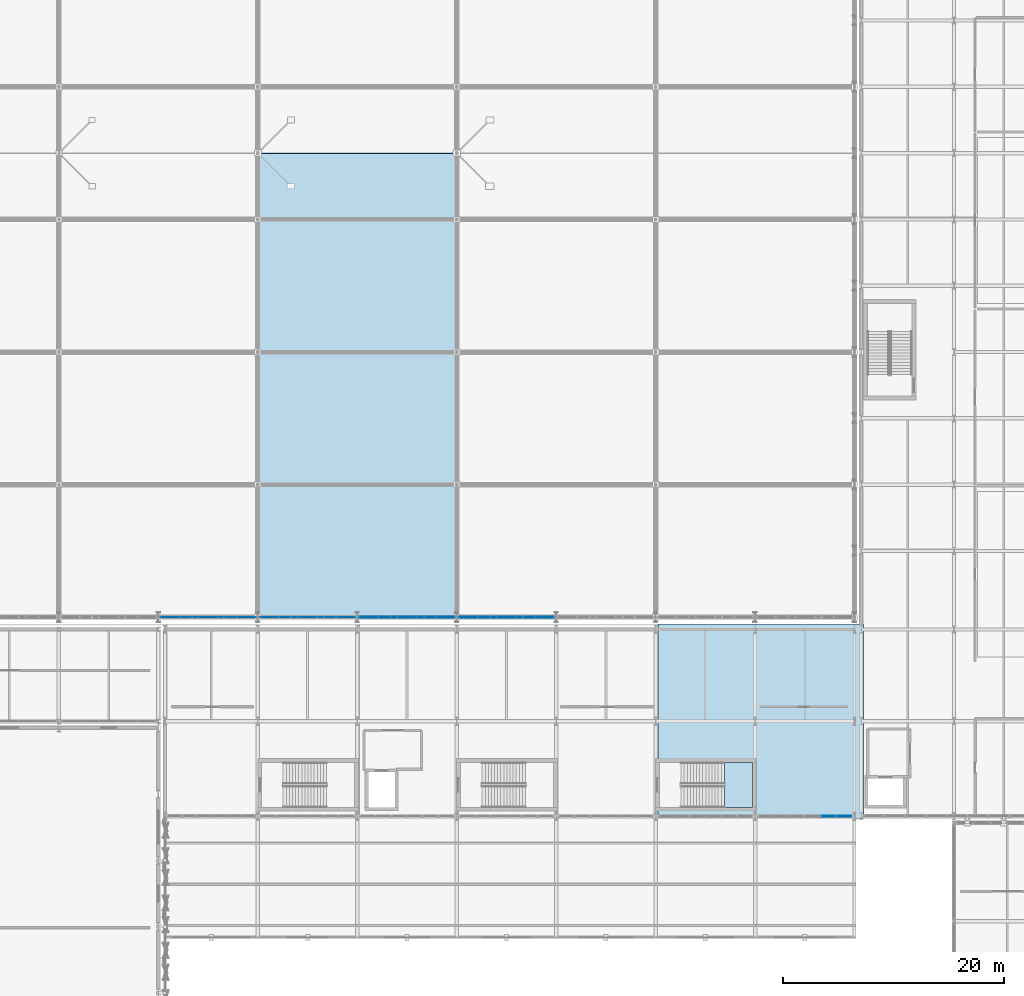
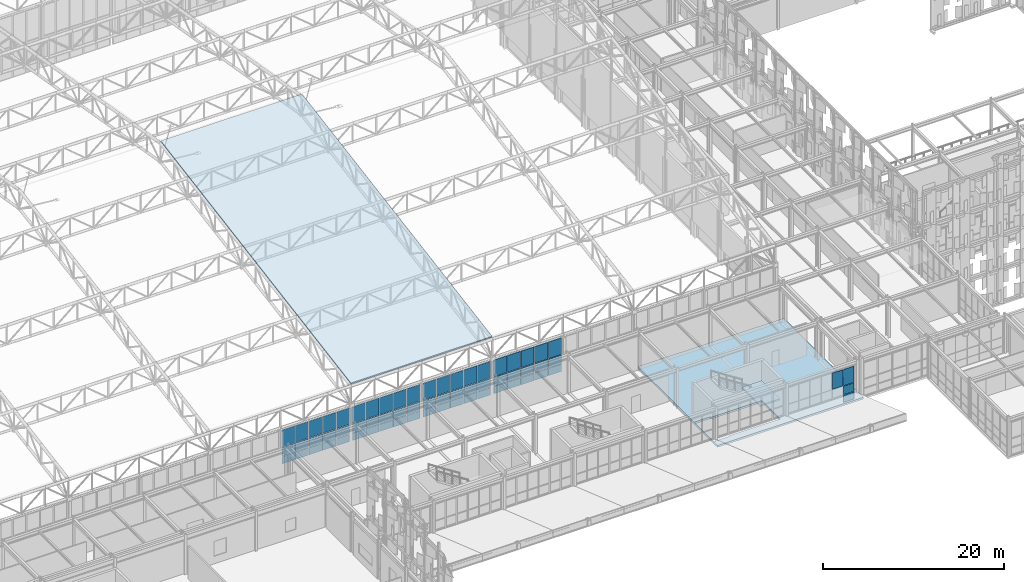
# One storey, part 184 of 239: 64 plates, 3 slabs, 7 elements without a shape of their own.
"""IFC4 building model written with IfcOpenShell, lengths in metres."""

from ifc_helpers import new_model, si_unit, direction, frame, origin, origin_2d, place, context, subcontext, project, spatial, polyline, rectangle, outline, extrude, material, layer, layer_set, type_object, element, aggregate, save


model = new_model("IFC4")

# Units and contexts
model_context = context("Model", 3, precision=1e-05, world=origin(), true_north=direction((0.0, 1.0)))
body_context = subcontext(model_context, "Body", "Model", "MODEL_VIEW")
ifc_project = project(units=[si_unit("LENGTHUNIT", "METRE"), si_unit("AREAUNIT", "SQUARE_METRE"), si_unit("VOLUMEUNIT", "CUBIC_METRE"), si_unit("PLANEANGLEUNIT", "RADIAN"), si_unit("MASSUNIT", "GRAM", prefix="KILO")], contexts=[model_context])

# Site, building, storey
site_placement = place(None, origin())
site = spatial("IfcSite", under=ifc_project, at=site_placement, CompositionType="ELEMENT")
building_placement = place(site_placement, origin())
building = spatial("IfcBuilding", under=site, at=building_placement, Name="Kaldris Quays Convention Centre", CompositionType="ELEMENT")
storey_placement = place(building_placement, frame((0.0, 0.0, 11.39990234375)))
storey = spatial("IfcBuildingStorey", under=building, at=storey_placement, Name="L02", CompositionType="ELEMENT", Elevation=11.39990234375)

# Curtain wall, plates
ifc_material_1 = material(Name="Anodized aluminium AW-6060 and triple glazing", Category="aluminium")
curtain_wall_type_1 = type_object("IfcCurtainWallType", Name="UNITISED CURTAIN WALL CW03", PredefinedType="NOTDEFINED", material=ifc_material_1)
curtain_wall_1_placement = place(storey_placement, origin())
curtain_wall_1 = element("IfcCurtainWall", 1, at=curtain_wall_1_placement, inside=storey, type_object=curtain_wall_type_1, Name="L02 Unitised Curtain Wall CW03 241", PredefinedType="NOTDEFINED")
ifc_material_2 = material(Name="Triple low-E insulated glazing", Category="glass")
plate_type_1 = type_object("IfcPlateType", Name="CURTAIN GLAZING PANEL CWP1", PredefinedType="CURTAIN_PANEL", material=ifc_material_2)
plate_1_placement = place(storey_placement, frame((84.027099609375, 56.0, 2.255126953125), z_axis=(0.0, 0.0, 1.0), x_axis=(1.0, 0.0, 0.0)))
plate_1 = element("IfcPlate", 2, at=plate_1_placement, type_object=plate_type_1, Name="CW03 panel 1.1", PredefinedType="CURTAIN_PANEL", context=body_context, shape_type="SweptSolid", body=[
    extrude(rectangle(XDim=1.654052734375, YDim=0.029052734375, at=origin_2d()), origin(), (0.0, 0.0, 1.0), 0.9599609375),
])
plate_2_placement = place(storey_placement, frame((84.027099609375, 56.0, 3.27490234375), z_axis=(0.0, 0.0, 1.0), x_axis=(1.0, 0.0, 0.0)))
plate_2 = element("IfcPlate", 3, at=plate_2_placement, type_object=plate_type_1, Name="CW03 panel 1.2", PredefinedType="CURTAIN_PANEL", context=body_context, shape_type="SweptSolid", body=[
    extrude(rectangle(XDim=1.654052734375, YDim=0.029052734375, at=origin_2d()), origin(), (0.0, 0.0, 1.0), 1.217041015625),
])
plate_3_placement = place(storey_placement, frame((84.027099609375, 56.0, 4.55224609375), z_axis=(0.0, 0.0, 1.0), x_axis=(1.0, 0.0, 0.0)))
plate_3 = element("IfcPlate", 4, at=plate_3_placement, type_object=plate_type_1, Name="CW03 panel 1.3", PredefinedType="CURTAIN_PANEL", context=body_context, shape_type="SweptSolid", body=[
    extrude(rectangle(XDim=1.654052734375, YDim=0.029052734375, at=origin_2d()), origin(), (0.0, 0.0, 1.0), 2.238037109375),
])
plate_4_placement = place(storey_placement, frame((85.756103515625, 56.0, 2.255126953125), z_axis=(0.0, 0.0, 1.0), x_axis=(1.0, 0.0, 0.0)))
plate_4 = element("IfcPlate", 5, at=plate_4_placement, type_object=plate_type_1, Name="CW03 panel 2.1", PredefinedType="CURTAIN_PANEL", context=body_context, shape_type="SweptSolid", body=[
    extrude(rectangle(XDim=1.68408203125, YDim=0.029052734375, at=origin_2d()), origin(), (0.0, 0.0, 1.0), 0.9599609375),
])
plate_5_placement = place(storey_placement, frame((85.756103515625, 56.0, 3.27490234375), z_axis=(0.0, 0.0, 1.0), x_axis=(1.0, 0.0, 0.0)))
plate_5 = element("IfcPlate", 6, at=plate_5_placement, type_object=plate_type_1, Name="CW03 panel 2.2", PredefinedType="CURTAIN_PANEL", context=body_context, shape_type="SweptSolid", body=[
    extrude(rectangle(XDim=1.68408203125, YDim=0.029052734375, at=origin_2d()), origin(), (0.0, 0.0, 1.0), 1.217041015625),
])
plate_6_placement = place(storey_placement, frame((85.756103515625, 56.0, 4.55224609375), z_axis=(0.0, 0.0, 1.0), x_axis=(1.0, 0.0, 0.0)))
plate_6 = element("IfcPlate", 7, at=plate_6_placement, type_object=plate_type_1, Name="CW03 panel 2.3", PredefinedType="CURTAIN_PANEL", context=body_context, shape_type="SweptSolid", body=[
    extrude(rectangle(XDim=1.68408203125, YDim=0.029052734375, at=origin_2d()), origin(), (0.0, 0.0, 1.0), 2.238037109375),
])
plate_7_placement = place(storey_placement, frame((87.5, 56.0, 2.255126953125), z_axis=(0.0, 0.0, 1.0), x_axis=(1.0, 0.0, 0.0)))
plate_7 = element("IfcPlate", 8, at=plate_7_placement, type_object=plate_type_1, Name="CW03 panel 3.1", PredefinedType="CURTAIN_PANEL", context=body_context, shape_type="SweptSolid", body=[
    extrude(rectangle(XDim=1.68408203125, YDim=0.029052734375, at=origin_2d()), origin(), (0.0, 0.0, 1.0), 0.9599609375),
])
plate_8_placement = place(storey_placement, frame((87.5, 56.0, 3.27490234375), z_axis=(0.0, 0.0, 1.0), x_axis=(1.0, 0.0, 0.0)))
plate_8 = element("IfcPlate", 9, at=plate_8_placement, type_object=plate_type_1, Name="CW03 panel 3.2", PredefinedType="CURTAIN_PANEL", context=body_context, shape_type="SweptSolid", body=[
    extrude(rectangle(XDim=1.68408203125, YDim=0.029052734375, at=origin_2d()), origin(), (0.0, 0.0, 1.0), 1.217041015625),
])
plate_9_placement = place(storey_placement, frame((87.5, 56.0, 4.55224609375), z_axis=(0.0, 0.0, 1.0), x_axis=(1.0, 0.0, 0.0)))
plate_9 = element("IfcPlate", 10, at=plate_9_placement, type_object=plate_type_1, Name="CW03 panel 3.3", PredefinedType="CURTAIN_PANEL", context=body_context, shape_type="SweptSolid", body=[
    extrude(rectangle(XDim=1.68408203125, YDim=0.029052734375, at=origin_2d()), origin(), (0.0, 0.0, 1.0), 2.238037109375),
])
plate_10_placement = place(storey_placement, frame((89.243896484375, 56.0, 2.255126953125), z_axis=(0.0, 0.0, 1.0), x_axis=(1.0, 0.0, 0.0)))
plate_10 = element("IfcPlate", 11, at=plate_10_placement, type_object=plate_type_1, Name="CW03 panel 4.1", PredefinedType="CURTAIN_PANEL", context=body_context, shape_type="SweptSolid", body=[
    extrude(rectangle(XDim=1.68408203125, YDim=0.029052734375, at=origin_2d()), origin(), (0.0, 0.0, 1.0), 0.9599609375),
])
plate_11_placement = place(storey_placement, frame((89.243896484375, 56.0, 3.27490234375), z_axis=(0.0, 0.0, 1.0), x_axis=(1.0, 0.0, 0.0)))
plate_11 = element("IfcPlate", 12, at=plate_11_placement, type_object=plate_type_1, Name="CW03 panel 4.2", PredefinedType="CURTAIN_PANEL", context=body_context, shape_type="SweptSolid", body=[
    extrude(rectangle(XDim=1.68408203125, YDim=0.029052734375, at=origin_2d()), origin(), (0.0, 0.0, 1.0), 1.217041015625),
])
plate_12_placement = place(storey_placement, frame((89.243896484375, 56.0, 4.55224609375), z_axis=(0.0, 0.0, 1.0), x_axis=(1.0, 0.0, 0.0)))
plate_12 = element("IfcPlate", 13, at=plate_12_placement, type_object=plate_type_1, Name="CW03 panel 4.3", PredefinedType="CURTAIN_PANEL", context=body_context, shape_type="SweptSolid", body=[
    extrude(rectangle(XDim=1.68408203125, YDim=0.029052734375, at=origin_2d()), origin(), (0.0, 0.0, 1.0), 2.238037109375),
])
plate_13_placement = place(storey_placement, frame((90.972900390625, 56.0, 2.255126953125), z_axis=(0.0, 0.0, 1.0), x_axis=(1.0, 0.0, 0.0)))
plate_13 = element("IfcPlate", 14, at=plate_13_placement, type_object=plate_type_1, Name="CW03 panel 5.1", PredefinedType="CURTAIN_PANEL", context=body_context, shape_type="SweptSolid", body=[
    extrude(rectangle(XDim=1.654052734375, YDim=0.029052734375, at=origin_2d()), origin(), (0.0, 0.0, 1.0), 0.9599609375),
])
plate_14_placement = place(storey_placement, frame((90.972900390625, 56.0, 3.27490234375), z_axis=(0.0, 0.0, 1.0), x_axis=(1.0, 0.0, 0.0)))
plate_14 = element("IfcPlate", 15, at=plate_14_placement, type_object=plate_type_1, Name="CW03 panel 5.2", PredefinedType="CURTAIN_PANEL", context=body_context, shape_type="SweptSolid", body=[
    extrude(rectangle(XDim=1.654052734375, YDim=0.029052734375, at=origin_2d()), origin(), (0.0, 0.0, 1.0), 1.217041015625),
])
plate_15_placement = place(storey_placement, frame((90.972900390625, 56.0, 4.55224609375), z_axis=(0.0, 0.0, 1.0), x_axis=(1.0, 0.0, 0.0)))
plate_15 = element("IfcPlate", 16, at=plate_15_placement, type_object=plate_type_1, Name="CW03 panel 5.3", PredefinedType="CURTAIN_PANEL", context=body_context, shape_type="SweptSolid", body=[
    extrude(rectangle(XDim=1.654052734375, YDim=0.029052734375, at=origin_2d()), origin(), (0.0, 0.0, 1.0), 2.238037109375),
])
aggregate(curtain_wall_1, [plate_1, plate_2, plate_3, plate_4, plate_5, plate_6, plate_7, plate_8, plate_9, plate_10, plate_11, plate_12, plate_13, plate_14, plate_15])

curtain_wall_2_placement = place(storey_placement, origin())
curtain_wall_2 = element("IfcCurtainWall", 17, at=curtain_wall_2_placement, inside=storey, type_object=curtain_wall_type_1, Name="L02 Unitised Curtain Wall CW03 243", PredefinedType="NOTDEFINED")
plate_type_2 = type_object("IfcPlateType", Name="CURTAIN GLAZING PANEL CWP3", PredefinedType="CURTAIN_PANEL", material=ifc_material_2)
plate_16_placement = place(storey_placement, frame((93.027099609375, 56.0, 2.255126953125), z_axis=(0.0, 0.0, 1.0), x_axis=(1.0, 0.0, 0.0)))
plate_16 = element("IfcPlate", 18, at=plate_16_placement, type_object=plate_type_2, Name="CW03 panel 1.1", PredefinedType="CURTAIN_PANEL", context=body_context, shape_type="SweptSolid", body=[
    extrude(rectangle(XDim=1.654052734375, YDim=0.0390625, at=origin_2d()), origin(), (0.0, 0.0, 1.0), 0.9599609375),
])
plate_17_placement = place(storey_placement, frame((93.027099609375, 56.0, 3.27490234375), z_axis=(0.0, 0.0, 1.0), x_axis=(1.0, 0.0, 0.0)))
plate_17 = element("IfcPlate", 19, at=plate_17_placement, type_object=plate_type_2, Name="CW03 panel 1.2", PredefinedType="CURTAIN_PANEL", context=body_context, shape_type="SweptSolid", body=[
    extrude(rectangle(XDim=1.654052734375, YDim=0.0390625, at=origin_2d()), origin(), (0.0, 0.0, 1.0), 1.217041015625),
])
plate_18_placement = place(storey_placement, frame((93.027099609375, 56.0, 4.55224609375), z_axis=(0.0, 0.0, 1.0), x_axis=(1.0, 0.0, 0.0)))
plate_18 = element("IfcPlate", 20, at=plate_18_placement, type_object=plate_type_2, Name="CW03 panel 1.3", PredefinedType="CURTAIN_PANEL", context=body_context, shape_type="SweptSolid", body=[
    extrude(rectangle(XDim=1.654052734375, YDim=0.0390625, at=origin_2d()), origin(), (0.0, 0.0, 1.0), 2.238037109375),
])
plate_19_placement = place(storey_placement, frame((94.756103515625, 56.0, 2.255126953125), z_axis=(0.0, 0.0, 1.0), x_axis=(1.0, 0.0, 0.0)))
plate_19 = element("IfcPlate", 21, at=plate_19_placement, type_object=plate_type_2, Name="CW03 panel 2.1", PredefinedType="CURTAIN_PANEL", context=body_context, shape_type="SweptSolid", body=[
    extrude(rectangle(XDim=1.68408203125, YDim=0.0390625, at=origin_2d()), origin(), (0.0, 0.0, 1.0), 0.9599609375),
])
plate_20_placement = place(storey_placement, frame((94.756103515625, 56.0, 3.27490234375), z_axis=(0.0, 0.0, 1.0), x_axis=(1.0, 0.0, 0.0)))
plate_20 = element("IfcPlate", 22, at=plate_20_placement, type_object=plate_type_2, Name="CW03 panel 2.2", PredefinedType="CURTAIN_PANEL", context=body_context, shape_type="SweptSolid", body=[
    extrude(rectangle(XDim=1.68408203125, YDim=0.0390625, at=origin_2d()), origin(), (0.0, 0.0, 1.0), 1.217041015625),
])
plate_21_placement = place(storey_placement, frame((94.756103515625, 56.0, 4.55224609375), z_axis=(0.0, 0.0, 1.0), x_axis=(1.0, 0.0, 0.0)))
plate_21 = element("IfcPlate", 23, at=plate_21_placement, type_object=plate_type_2, Name="CW03 panel 2.3", PredefinedType="CURTAIN_PANEL", context=body_context, shape_type="SweptSolid", body=[
    extrude(rectangle(XDim=1.68408203125, YDim=0.0390625, at=origin_2d()), origin(), (0.0, 0.0, 1.0), 2.238037109375),
])
plate_22_placement = place(storey_placement, frame((96.5, 56.0, 2.255126953125), z_axis=(0.0, 0.0, 1.0), x_axis=(1.0, 0.0, 0.0)))
plate_22 = element("IfcPlate", 24, at=plate_22_placement, type_object=plate_type_2, Name="CW03 panel 3.1", PredefinedType="CURTAIN_PANEL", context=body_context, shape_type="SweptSolid", body=[
    extrude(rectangle(XDim=1.68408203125, YDim=0.0390625, at=origin_2d()), origin(), (0.0, 0.0, 1.0), 0.9599609375),
])
plate_23_placement = place(storey_placement, frame((96.5, 56.0, 3.27490234375), z_axis=(0.0, 0.0, 1.0), x_axis=(1.0, 0.0, 0.0)))
plate_23 = element("IfcPlate", 25, at=plate_23_placement, type_object=plate_type_2, Name="CW03 panel 3.2", PredefinedType="CURTAIN_PANEL", context=body_context, shape_type="SweptSolid", body=[
    extrude(rectangle(XDim=1.68408203125, YDim=0.0390625, at=origin_2d()), origin(), (0.0, 0.0, 1.0), 1.217041015625),
])
plate_24_placement = place(storey_placement, frame((96.5, 56.0, 4.55224609375), z_axis=(0.0, 0.0, 1.0), x_axis=(1.0, 0.0, 0.0)))
plate_24 = element("IfcPlate", 26, at=plate_24_placement, type_object=plate_type_2, Name="CW03 panel 3.3", PredefinedType="CURTAIN_PANEL", context=body_context, shape_type="SweptSolid", body=[
    extrude(rectangle(XDim=1.68408203125, YDim=0.0390625, at=origin_2d()), origin(), (0.0, 0.0, 1.0), 2.238037109375),
])
plate_25_placement = place(storey_placement, frame((98.243896484375, 56.0, 2.255126953125), z_axis=(0.0, 0.0, 1.0), x_axis=(1.0, 0.0, 0.0)))
plate_25 = element("IfcPlate", 27, at=plate_25_placement, type_object=plate_type_2, Name="CW03 panel 4.1", PredefinedType="CURTAIN_PANEL", context=body_context, shape_type="SweptSolid", body=[
    extrude(rectangle(XDim=1.68408203125, YDim=0.0390625, at=origin_2d()), origin(), (0.0, 0.0, 1.0), 0.9599609375),
])
plate_26_placement = place(storey_placement, frame((98.243896484375, 56.0, 3.27490234375), z_axis=(0.0, 0.0, 1.0), x_axis=(1.0, 0.0, 0.0)))
plate_26 = element("IfcPlate", 28, at=plate_26_placement, type_object=plate_type_2, Name="CW03 panel 4.2", PredefinedType="CURTAIN_PANEL", context=body_context, shape_type="SweptSolid", body=[
    extrude(rectangle(XDim=1.68408203125, YDim=0.0390625, at=origin_2d()), origin(), (0.0, 0.0, 1.0), 1.217041015625),
])
plate_27_placement = place(storey_placement, frame((98.243896484375, 56.0, 4.55224609375), z_axis=(0.0, 0.0, 1.0), x_axis=(1.0, 0.0, 0.0)))
plate_27 = element("IfcPlate", 29, at=plate_27_placement, type_object=plate_type_2, Name="CW03 panel 4.3", PredefinedType="CURTAIN_PANEL", context=body_context, shape_type="SweptSolid", body=[
    extrude(rectangle(XDim=1.68408203125, YDim=0.0390625, at=origin_2d()), origin(), (0.0, 0.0, 1.0), 2.238037109375),
])
plate_28_placement = place(storey_placement, frame((99.972900390625, 56.0, 2.255126953125), z_axis=(0.0, 0.0, 1.0), x_axis=(1.0, 0.0, 0.0)))
plate_28 = element("IfcPlate", 30, at=plate_28_placement, type_object=plate_type_2, Name="CW03 panel 5.1", PredefinedType="CURTAIN_PANEL", context=body_context, shape_type="SweptSolid", body=[
    extrude(rectangle(XDim=1.654052734375, YDim=0.0390625, at=origin_2d()), origin(), (0.0, 0.0, 1.0), 0.9599609375),
])
plate_29_placement = place(storey_placement, frame((99.972900390625, 56.0, 3.27490234375), z_axis=(0.0, 0.0, 1.0), x_axis=(1.0, 0.0, 0.0)))
plate_29 = element("IfcPlate", 31, at=plate_29_placement, type_object=plate_type_2, Name="CW03 panel 5.2", PredefinedType="CURTAIN_PANEL", context=body_context, shape_type="SweptSolid", body=[
    extrude(rectangle(XDim=1.654052734375, YDim=0.0390625, at=origin_2d()), origin(), (0.0, 0.0, 1.0), 1.217041015625),
])
plate_30_placement = place(storey_placement, frame((99.972900390625, 56.0, 4.55224609375), z_axis=(0.0, 0.0, 1.0), x_axis=(1.0, 0.0, 0.0)))
plate_30 = element("IfcPlate", 32, at=plate_30_placement, type_object=plate_type_2, Name="CW03 panel 5.3", PredefinedType="CURTAIN_PANEL", context=body_context, shape_type="SweptSolid", body=[
    extrude(rectangle(XDim=1.654052734375, YDim=0.0390625, at=origin_2d()), origin(), (0.0, 0.0, 1.0), 2.238037109375),
])
aggregate(curtain_wall_2, [plate_16, plate_17, plate_18, plate_19, plate_20, plate_21, plate_22, plate_23, plate_24, plate_25, plate_26, plate_27, plate_28, plate_29, plate_30])

curtain_wall_3_placement = place(storey_placement, origin())
curtain_wall_3 = element("IfcCurtainWall", 33, at=curtain_wall_3_placement, inside=storey, type_object=curtain_wall_type_1, Name="L02 Unitised Curtain Wall CW03 245", PredefinedType="NOTDEFINED")
plate_type_3 = type_object("IfcPlateType", Name="CURTAIN GLAZING PANEL CWP5", PredefinedType="CURTAIN_PANEL", material=ifc_material_2)
plate_31_placement = place(storey_placement, frame((102.027099609375, 56.0, 2.255126953125), z_axis=(0.0, 0.0, 1.0), x_axis=(1.0, 0.0, 0.0)))
plate_31 = element("IfcPlate", 34, at=plate_31_placement, type_object=plate_type_3, Name="CW03 panel 1.1", PredefinedType="CURTAIN_PANEL", context=body_context, shape_type="SweptSolid", body=[
    extrude(rectangle(XDim=1.654052734375, YDim=0.049072265625, at=origin_2d()), origin(), (0.0, 0.0, 1.0), 0.9599609375),
])
plate_32_placement = place(storey_placement, frame((102.027099609375, 56.0, 3.27490234375), z_axis=(0.0, 0.0, 1.0), x_axis=(1.0, 0.0, 0.0)))
plate_32 = element("IfcPlate", 35, at=plate_32_placement, type_object=plate_type_3, Name="CW03 panel 1.2", PredefinedType="CURTAIN_PANEL", context=body_context, shape_type="SweptSolid", body=[
    extrude(rectangle(XDim=1.654052734375, YDim=0.049072265625, at=origin_2d()), origin(), (0.0, 0.0, 1.0), 1.217041015625),
])
plate_33_placement = place(storey_placement, frame((102.027099609375, 56.0, 4.55224609375), z_axis=(0.0, 0.0, 1.0), x_axis=(1.0, 0.0, 0.0)))
plate_33 = element("IfcPlate", 36, at=plate_33_placement, type_object=plate_type_3, Name="CW03 panel 1.3", PredefinedType="CURTAIN_PANEL", context=body_context, shape_type="SweptSolid", body=[
    extrude(rectangle(XDim=1.654052734375, YDim=0.049072265625, at=origin_2d()), origin(), (0.0, 0.0, 1.0), 2.238037109375),
])
plate_34_placement = place(storey_placement, frame((103.756103515625, 56.0, 2.255126953125), z_axis=(0.0, 0.0, 1.0), x_axis=(1.0, 0.0, 0.0)))
plate_34 = element("IfcPlate", 37, at=plate_34_placement, type_object=plate_type_3, Name="CW03 panel 2.1", PredefinedType="CURTAIN_PANEL", context=body_context, shape_type="SweptSolid", body=[
    extrude(rectangle(XDim=1.68408203125, YDim=0.049072265625, at=origin_2d()), origin(), (0.0, 0.0, 1.0), 0.9599609375),
])
plate_35_placement = place(storey_placement, frame((103.756103515625, 56.0, 3.27490234375), z_axis=(0.0, 0.0, 1.0), x_axis=(1.0, 0.0, 0.0)))
plate_35 = element("IfcPlate", 38, at=plate_35_placement, type_object=plate_type_3, Name="CW03 panel 2.2", PredefinedType="CURTAIN_PANEL", context=body_context, shape_type="SweptSolid", body=[
    extrude(rectangle(XDim=1.68408203125, YDim=0.049072265625, at=origin_2d()), origin(), (0.0, 0.0, 1.0), 1.217041015625),
])
plate_36_placement = place(storey_placement, frame((103.756103515625, 56.0, 4.55224609375), z_axis=(0.0, 0.0, 1.0), x_axis=(1.0, 0.0, 0.0)))
plate_36 = element("IfcPlate", 39, at=plate_36_placement, type_object=plate_type_3, Name="CW03 panel 2.3", PredefinedType="CURTAIN_PANEL", context=body_context, shape_type="SweptSolid", body=[
    extrude(rectangle(XDim=1.68408203125, YDim=0.049072265625, at=origin_2d()), origin(), (0.0, 0.0, 1.0), 2.238037109375),
])
plate_37_placement = place(storey_placement, frame((105.5, 56.0, 2.255126953125), z_axis=(0.0, 0.0, 1.0), x_axis=(1.0, 0.0, 0.0)))
plate_37 = element("IfcPlate", 40, at=plate_37_placement, type_object=plate_type_3, Name="CW03 panel 3.1", PredefinedType="CURTAIN_PANEL", context=body_context, shape_type="SweptSolid", body=[
    extrude(rectangle(XDim=1.68408203125, YDim=0.049072265625, at=origin_2d()), origin(), (0.0, 0.0, 1.0), 0.9599609375),
])
plate_38_placement = place(storey_placement, frame((105.5, 56.0, 3.27490234375), z_axis=(0.0, 0.0, 1.0), x_axis=(1.0, 0.0, 0.0)))
plate_38 = element("IfcPlate", 41, at=plate_38_placement, type_object=plate_type_3, Name="CW03 panel 3.2", PredefinedType="CURTAIN_PANEL", context=body_context, shape_type="SweptSolid", body=[
    extrude(rectangle(XDim=1.68408203125, YDim=0.049072265625, at=origin_2d()), origin(), (0.0, 0.0, 1.0), 1.217041015625),
])
plate_39_placement = place(storey_placement, frame((105.5, 56.0, 4.55224609375), z_axis=(0.0, 0.0, 1.0), x_axis=(1.0, 0.0, 0.0)))
plate_39 = element("IfcPlate", 42, at=plate_39_placement, type_object=plate_type_3, Name="CW03 panel 3.3", PredefinedType="CURTAIN_PANEL", context=body_context, shape_type="SweptSolid", body=[
    extrude(rectangle(XDim=1.68408203125, YDim=0.049072265625, at=origin_2d()), origin(), (0.0, 0.0, 1.0), 2.238037109375),
])
plate_40_placement = place(storey_placement, frame((107.243896484375, 56.0, 2.255126953125), z_axis=(0.0, 0.0, 1.0), x_axis=(1.0, 0.0, 0.0)))
plate_40 = element("IfcPlate", 43, at=plate_40_placement, type_object=plate_type_3, Name="CW03 panel 4.1", PredefinedType="CURTAIN_PANEL", context=body_context, shape_type="SweptSolid", body=[
    extrude(rectangle(XDim=1.68408203125, YDim=0.049072265625, at=origin_2d()), origin(), (0.0, 0.0, 1.0), 0.9599609375),
])
plate_41_placement = place(storey_placement, frame((107.243896484375, 56.0, 3.27490234375), z_axis=(0.0, 0.0, 1.0), x_axis=(1.0, 0.0, 0.0)))
plate_41 = element("IfcPlate", 44, at=plate_41_placement, type_object=plate_type_3, Name="CW03 panel 4.2", PredefinedType="CURTAIN_PANEL", context=body_context, shape_type="SweptSolid", body=[
    extrude(rectangle(XDim=1.68408203125, YDim=0.049072265625, at=origin_2d()), origin(), (0.0, 0.0, 1.0), 1.217041015625),
])
plate_42_placement = place(storey_placement, frame((107.243896484375, 56.0, 4.55224609375), z_axis=(0.0, 0.0, 1.0), x_axis=(1.0, 0.0, 0.0)))
plate_42 = element("IfcPlate", 45, at=plate_42_placement, type_object=plate_type_3, Name="CW03 panel 4.3", PredefinedType="CURTAIN_PANEL", context=body_context, shape_type="SweptSolid", body=[
    extrude(rectangle(XDim=1.68408203125, YDim=0.049072265625, at=origin_2d()), origin(), (0.0, 0.0, 1.0), 2.238037109375),
])
plate_43_placement = place(storey_placement, frame((108.972900390625, 56.0, 2.255126953125), z_axis=(0.0, 0.0, 1.0), x_axis=(1.0, 0.0, 0.0)))
plate_43 = element("IfcPlate", 46, at=plate_43_placement, type_object=plate_type_3, Name="CW03 panel 5.1", PredefinedType="CURTAIN_PANEL", context=body_context, shape_type="SweptSolid", body=[
    extrude(rectangle(XDim=1.654052734375, YDim=0.049072265625, at=origin_2d()), origin(), (0.0, 0.0, 1.0), 0.9599609375),
])
plate_44_placement = place(storey_placement, frame((108.972900390625, 56.0, 3.27490234375), z_axis=(0.0, 0.0, 1.0), x_axis=(1.0, 0.0, 0.0)))
plate_44 = element("IfcPlate", 47, at=plate_44_placement, type_object=plate_type_3, Name="CW03 panel 5.2", PredefinedType="CURTAIN_PANEL", context=body_context, shape_type="SweptSolid", body=[
    extrude(rectangle(XDim=1.654052734375, YDim=0.049072265625, at=origin_2d()), origin(), (0.0, 0.0, 1.0), 1.217041015625),
])
plate_45_placement = place(storey_placement, frame((108.972900390625, 56.0, 4.55224609375), z_axis=(0.0, 0.0, 1.0), x_axis=(1.0, 0.0, 0.0)))
plate_45 = element("IfcPlate", 48, at=plate_45_placement, type_object=plate_type_3, Name="CW03 panel 5.3", PredefinedType="CURTAIN_PANEL", context=body_context, shape_type="SweptSolid", body=[
    extrude(rectangle(XDim=1.654052734375, YDim=0.049072265625, at=origin_2d()), origin(), (0.0, 0.0, 1.0), 2.238037109375),
])
aggregate(curtain_wall_3, [plate_31, plate_32, plate_33, plate_34, plate_35, plate_36, plate_37, plate_38, plate_39, plate_40, plate_41, plate_42, plate_43, plate_44, plate_45])

curtain_wall_4_placement = place(storey_placement, origin())
curtain_wall_4 = element("IfcCurtainWall", 49, at=curtain_wall_4_placement, inside=storey, type_object=curtain_wall_type_1, Name="L02 Unitised Curtain Wall CW03 247", PredefinedType="NOTDEFINED")
plate_type_4 = type_object("IfcPlateType", Name="CURTAIN GLAZING PANEL CWP7", PredefinedType="CURTAIN_PANEL", material=ifc_material_2)
plate_46_placement = place(storey_placement, frame((111.027099609375, 56.0, 2.255126953125), z_axis=(0.0, 0.0, 1.0), x_axis=(1.0, 0.0, 0.0)))
plate_46 = element("IfcPlate", 50, at=plate_46_placement, type_object=plate_type_4, Name="CW03 panel 1.1", PredefinedType="CURTAIN_PANEL", context=body_context, shape_type="SweptSolid", body=[
    extrude(rectangle(XDim=1.654052734375, YDim=0.05908203125, at=origin_2d()), origin(), (0.0, 0.0, 1.0), 0.9599609375),
])
plate_47_placement = place(storey_placement, frame((111.027099609375, 56.0, 3.27490234375), z_axis=(0.0, 0.0, 1.0), x_axis=(1.0, 0.0, 0.0)))
plate_47 = element("IfcPlate", 51, at=plate_47_placement, type_object=plate_type_4, Name="CW03 panel 1.2", PredefinedType="CURTAIN_PANEL", context=body_context, shape_type="SweptSolid", body=[
    extrude(rectangle(XDim=1.654052734375, YDim=0.05908203125, at=origin_2d()), origin(), (0.0, 0.0, 1.0), 1.217041015625),
])
plate_48_placement = place(storey_placement, frame((111.027099609375, 56.0, 4.55224609375), z_axis=(0.0, 0.0, 1.0), x_axis=(1.0, 0.0, 0.0)))
plate_48 = element("IfcPlate", 52, at=plate_48_placement, type_object=plate_type_4, Name="CW03 panel 1.3", PredefinedType="CURTAIN_PANEL", context=body_context, shape_type="SweptSolid", body=[
    extrude(rectangle(XDim=1.654052734375, YDim=0.05908203125, at=origin_2d()), origin(), (0.0, 0.0, 1.0), 2.238037109375),
])
plate_49_placement = place(storey_placement, frame((112.756103515625, 56.0, 2.255126953125), z_axis=(0.0, 0.0, 1.0), x_axis=(1.0, 0.0, 0.0)))
plate_49 = element("IfcPlate", 53, at=plate_49_placement, type_object=plate_type_4, Name="CW03 panel 2.1", PredefinedType="CURTAIN_PANEL", context=body_context, shape_type="SweptSolid", body=[
    extrude(rectangle(XDim=1.68408203125, YDim=0.05908203125, at=origin_2d()), origin(), (0.0, 0.0, 1.0), 0.9599609375),
])
plate_50_placement = place(storey_placement, frame((112.756103515625, 56.0, 3.27490234375), z_axis=(0.0, 0.0, 1.0), x_axis=(1.0, 0.0, 0.0)))
plate_50 = element("IfcPlate", 54, at=plate_50_placement, type_object=plate_type_4, Name="CW03 panel 2.2", PredefinedType="CURTAIN_PANEL", context=body_context, shape_type="SweptSolid", body=[
    extrude(rectangle(XDim=1.68408203125, YDim=0.05908203125, at=origin_2d()), origin(), (0.0, 0.0, 1.0), 1.217041015625),
])
plate_51_placement = place(storey_placement, frame((112.756103515625, 56.0, 4.55224609375), z_axis=(0.0, 0.0, 1.0), x_axis=(1.0, 0.0, 0.0)))
plate_51 = element("IfcPlate", 55, at=plate_51_placement, type_object=plate_type_4, Name="CW03 panel 2.3", PredefinedType="CURTAIN_PANEL", context=body_context, shape_type="SweptSolid", body=[
    extrude(rectangle(XDim=1.68408203125, YDim=0.05908203125, at=origin_2d()), origin(), (0.0, 0.0, 1.0), 2.238037109375),
])
plate_52_placement = place(storey_placement, frame((114.5, 56.0, 2.255126953125), z_axis=(0.0, 0.0, 1.0), x_axis=(1.0, 0.0, 0.0)))
plate_52 = element("IfcPlate", 56, at=plate_52_placement, type_object=plate_type_4, Name="CW03 panel 3.1", PredefinedType="CURTAIN_PANEL", context=body_context, shape_type="SweptSolid", body=[
    extrude(rectangle(XDim=1.68408203125, YDim=0.05908203125, at=origin_2d()), origin(), (0.0, 0.0, 1.0), 0.9599609375),
])
plate_53_placement = place(storey_placement, frame((114.5, 56.0, 3.27490234375), z_axis=(0.0, 0.0, 1.0), x_axis=(1.0, 0.0, 0.0)))
plate_53 = element("IfcPlate", 57, at=plate_53_placement, type_object=plate_type_4, Name="CW03 panel 3.2", PredefinedType="CURTAIN_PANEL", context=body_context, shape_type="SweptSolid", body=[
    extrude(rectangle(XDim=1.68408203125, YDim=0.05908203125, at=origin_2d()), origin(), (0.0, 0.0, 1.0), 1.217041015625),
])
plate_54_placement = place(storey_placement, frame((114.5, 56.0, 4.55224609375), z_axis=(0.0, 0.0, 1.0), x_axis=(1.0, 0.0, 0.0)))
plate_54 = element("IfcPlate", 58, at=plate_54_placement, type_object=plate_type_4, Name="CW03 panel 3.3", PredefinedType="CURTAIN_PANEL", context=body_context, shape_type="SweptSolid", body=[
    extrude(rectangle(XDim=1.68408203125, YDim=0.05908203125, at=origin_2d()), origin(), (0.0, 0.0, 1.0), 2.238037109375),
])
plate_55_placement = place(storey_placement, frame((116.243896484375, 56.0, 2.255126953125), z_axis=(0.0, 0.0, 1.0), x_axis=(1.0, 0.0, 0.0)))
plate_55 = element("IfcPlate", 59, at=plate_55_placement, type_object=plate_type_4, Name="CW03 panel 4.1", PredefinedType="CURTAIN_PANEL", context=body_context, shape_type="SweptSolid", body=[
    extrude(rectangle(XDim=1.68408203125, YDim=0.05908203125, at=origin_2d()), origin(), (0.0, 0.0, 1.0), 0.9599609375),
])
plate_56_placement = place(storey_placement, frame((116.243896484375, 56.0, 3.27490234375), z_axis=(0.0, 0.0, 1.0), x_axis=(1.0, 0.0, 0.0)))
plate_56 = element("IfcPlate", 60, at=plate_56_placement, type_object=plate_type_4, Name="CW03 panel 4.2", PredefinedType="CURTAIN_PANEL", context=body_context, shape_type="SweptSolid", body=[
    extrude(rectangle(XDim=1.68408203125, YDim=0.05908203125, at=origin_2d()), origin(), (0.0, 0.0, 1.0), 1.217041015625),
])
plate_57_placement = place(storey_placement, frame((116.243896484375, 56.0, 4.55224609375), z_axis=(0.0, 0.0, 1.0), x_axis=(1.0, 0.0, 0.0)))
plate_57 = element("IfcPlate", 61, at=plate_57_placement, type_object=plate_type_4, Name="CW03 panel 4.3", PredefinedType="CURTAIN_PANEL", context=body_context, shape_type="SweptSolid", body=[
    extrude(rectangle(XDim=1.68408203125, YDim=0.05908203125, at=origin_2d()), origin(), (0.0, 0.0, 1.0), 2.238037109375),
])
plate_58_placement = place(storey_placement, frame((117.972900390625, 56.0, 2.255126953125), z_axis=(0.0, 0.0, 1.0), x_axis=(1.0, 0.0, 0.0)))
plate_58 = element("IfcPlate", 62, at=plate_58_placement, type_object=plate_type_4, Name="CW03 panel 5.1", PredefinedType="CURTAIN_PANEL", context=body_context, shape_type="SweptSolid", body=[
    extrude(rectangle(XDim=1.654052734375, YDim=0.05908203125, at=origin_2d()), origin(), (0.0, 0.0, 1.0), 0.9599609375),
])
plate_59_placement = place(storey_placement, frame((117.972900390625, 56.0, 3.27490234375), z_axis=(0.0, 0.0, 1.0), x_axis=(1.0, 0.0, 0.0)))
plate_59 = element("IfcPlate", 63, at=plate_59_placement, type_object=plate_type_4, Name="CW03 panel 5.2", PredefinedType="CURTAIN_PANEL", context=body_context, shape_type="SweptSolid", body=[
    extrude(rectangle(XDim=1.654052734375, YDim=0.05908203125, at=origin_2d()), origin(), (0.0, 0.0, 1.0), 1.217041015625),
])
plate_60_placement = place(storey_placement, frame((117.972900390625, 56.0, 4.55224609375), z_axis=(0.0, 0.0, 1.0), x_axis=(1.0, 0.0, 0.0)))
plate_60 = element("IfcPlate", 64, at=plate_60_placement, type_object=plate_type_4, Name="CW03 panel 5.3", PredefinedType="CURTAIN_PANEL", context=body_context, shape_type="SweptSolid", body=[
    extrude(rectangle(XDim=1.654052734375, YDim=0.05908203125, at=origin_2d()), origin(), (0.0, 0.0, 1.0), 2.238037109375),
])
aggregate(curtain_wall_4, [plate_46, plate_47, plate_48, plate_49, plate_50, plate_51, plate_52, plate_53, plate_54, plate_55, plate_56, plate_57, plate_58, plate_59, plate_60])

curtain_wall_type_2 = type_object("IfcCurtainWallType", Name="UNITISED CURTAIN WALL CW04", PredefinedType="NOTDEFINED", material=ifc_material_1)
curtain_wall_5_placement = place(storey_placement, origin())
curtain_wall_5 = element("IfcCurtainWall", 65, at=curtain_wall_5_placement, inside=storey, type_object=curtain_wall_type_2, Name="L02 Unitised Curtain Wall CW04 120", PredefinedType="NOTDEFINED")
plate_type_5 = type_object("IfcPlateType", Name="CURTAIN GLAZING PANEL CWP8", PredefinedType="CURTAIN_PANEL", material=ifc_material_2)
plate_61_placement = place(storey_placement, frame((143.625, 38.0, 2.303955078125), z_axis=(0.0, 0.0, 1.0), x_axis=(1.0, 0.0, 0.0)))
plate_61 = element("IfcPlate", 66, at=plate_61_placement, type_object=plate_type_5, Name="CW04 panel 5.3", PredefinedType="CURTAIN_PANEL", context=body_context, shape_type="SweptSolid", body=[
    extrude(rectangle(XDim=1.356689453125, YDim=0.06396484375, at=origin_2d()), origin(), (0.0, 0.0, 1.0), 2.18408203125),
])
plate_62_placement = place(storey_placement, frame((145.026611328125, 38.0, 0.06005859375), z_axis=(0.0, 0.0, 1.0), x_axis=(1.0, 0.0, 0.0)))
plate_62 = element("IfcPlate", 67, at=plate_62_placement, type_object=plate_type_5, Name="CW04 panel 6.1", PredefinedType="CURTAIN_PANEL", context=body_context, shape_type="SweptSolid", body=[
    extrude(rectangle(XDim=1.32666015625, YDim=0.06396484375, at=origin_2d()), origin(), (0.0, 0.0, 1.0), 0.9599609375),
])
plate_63_placement = place(storey_placement, frame((145.026611328125, 38.0, 1.080078125), z_axis=(0.0, 0.0, 1.0), x_axis=(1.0, 0.0, 0.0)))
plate_63 = element("IfcPlate", 68, at=plate_63_placement, type_object=plate_type_5, Name="CW04 panel 6.2", PredefinedType="CURTAIN_PANEL", context=body_context, shape_type="SweptSolid", body=[
    extrude(rectangle(XDim=1.32666015625, YDim=0.06396484375, at=origin_2d()), origin(), (0.0, 0.0, 1.0), 1.1640625),
])
plate_64_placement = place(storey_placement, frame((145.026611328125, 38.0, 2.303955078125), z_axis=(0.0, 0.0, 1.0), x_axis=(1.0, 0.0, 0.0)))
plate_64 = element("IfcPlate", 69, at=plate_64_placement, type_object=plate_type_5, Name="CW04 panel 6.3", PredefinedType="CURTAIN_PANEL", context=body_context, shape_type="SweptSolid", body=[
    extrude(rectangle(XDim=1.32666015625, YDim=0.06396484375, at=origin_2d()), origin(), (0.0, 0.0, 1.0), 2.18408203125),
])
aggregate(curtain_wall_5, [plate_61, plate_62, plate_63, plate_64])

# Stair, slab
ifc_material_3 = material(Name="Concrete C35/45", Category="concrete")
stair_type = type_object("IfcStairType", Name="DOGLEG ESCAPE STAIR STF1", PredefinedType="TWO_STRAIGHT_RUN_STAIR", material=ifc_material_3)
stair_placement = place(storey_placement, origin())
stair = element("IfcStair", 70, at=stair_placement, inside=storey, type_object=stair_type, Name="L02 Escape Stair ST12", PredefinedType="TWO_STRAIGHT_RUN_STAIR")
ifc_layer_1 = layer(ifc_material_3, 0.205078125)
ifc_layer_set_1 = layer_set([ifc_layer_1], Name="Concrete C35/45")
slab_type_1 = type_object("IfcSlabType", Name="STAIR LANDING SLAB LS01", PredefinedType="LANDING", material=ifc_layer_set_1)
slab_1_placement = place(storey_placement, frame((0.0, 0.0, 2.4951171875)))
slab_1 = element("IfcSlab", 71, at=slab_1_placement, type_object=slab_type_1, Name="STF1 landing 1", PredefinedType="LANDING", context=body_context, shape_type="SweptSolid", body=[
    extrude(outline(polyline([(134.219970703125, 38.800048828125), (136.75, 38.800048828125), (136.75, 42.85009765625), (134.219970703125, 42.85009765625), (134.219970703125, 38.800048828125)])), origin(), (0.0, 0.0, 1.0), 0.205078125),
])
aggregate(stair, [slab_1])

# Slab
ifc_layer_2 = layer(ifc_material_3, 0.2548828125)
ifc_layer_set_2 = layer_set([ifc_layer_2], Name="Concrete C35/45")
slab_type_2 = type_object("IfcSlabType", Name="STRUCTURAL SLAB FS06", PredefinedType="FLOOR", material=ifc_layer_set_2)
slab_2_placement = place(storey_placement, frame((0.0, 0.0, -0.2548828125)))
element("IfcSlab", 72, at=slab_2_placement, inside=storey, type_object=slab_type_2, Name="L02 V4 L02 South 3 SLAB-L02-V4S-3", PredefinedType="FLOOR", context=body_context, shape_type="SweptSolid", body=[
    extrude(outline(polyline([(146.800048828125, 55.375), (146.800048828125, 37.800048828125), (128.201904296875, 37.800048828125), (128.201904296875, 55.375), (146.800048828125, 55.375)]), holes=[polyline([(130.3017578125, 38.67919921875), (130.302001953125, 38.800048828125), (136.75, 38.800048828125), (136.75, 42.85009765625), (130.302001953125, 42.85009765625), (130.30029296875, 42.971923828125), (128.22900390625, 42.9716796875), (128.228271484375, 38.67919921875), (130.3017578125, 38.67919921875)])]), origin(), (0.0, 0.0, 1.0), 0.2548828125),
])

# Roof, slab
ifc_material_4 = material(Name="Steel S355J2", Category="steel")
ifc_layer_3 = layer(ifc_material_4, 0.175048828125)
ifc_layer_set_3 = layer_set([ifc_layer_3], Name="Steel S355J2")
roof_type = type_object("IfcRoofType", Name="SPACE FRAME GABLE ROOF RF01", PredefinedType="GABLE_ROOF", material=ifc_layer_set_3)
roof_placement = place(storey_placement, origin())
roof = element("IfcRoof", 73, at=roof_placement, inside=storey, type_object=roof_type, Name="Space-Frame Roof ROOF-V1-SF", PredefinedType="GABLE_ROOF")
ifc_layer_4 = layer(ifc_material_4, 0.175048828125)
ifc_layer_set_4 = layer_set([ifc_layer_4], Name="Steel S355J2")
slab_type_3 = type_object("IfcSlabType", Name="STRUCTURAL SLAB RS02", PredefinedType="ROOF", material=ifc_layer_set_4)
slab_3_placement = place(storey_placement, frame((92.0, 56.0, 10.0498046875), z_axis=(0.0, -0.168959837226, 0.985622936728), x_axis=(1.0, 0.0, 0.0)))
slab_3 = element("IfcSlab", 74, at=slab_3_placement, type_object=slab_type_3, Name="SF-V1 Pitched Roof Deck 1.5", PredefinedType="ROOF", context=body_context, shape_type="SweptSolid", body=[
    extrude(outline(polyline([(0.0, 0.0), (18.0, 0.0), (18.0, 42.587379100153214), (0.0, 42.587379100153214), (0.0, 0.0)])), origin(), (0.0, 0.0, -1.0), 0.175048828125),
])
aggregate(roof, [slab_3])

save(model, "model.ifc")
